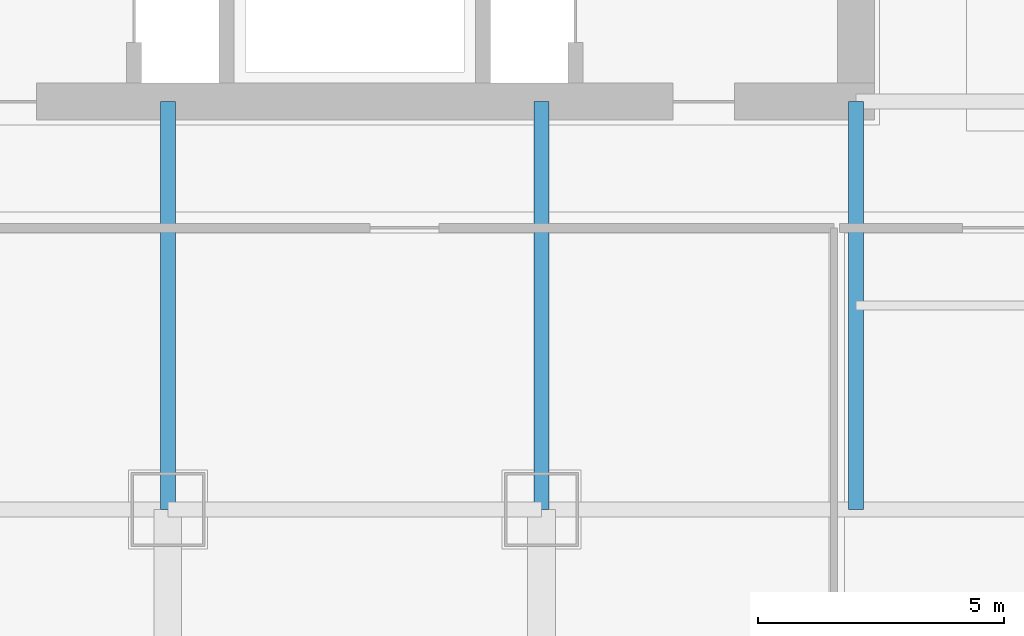
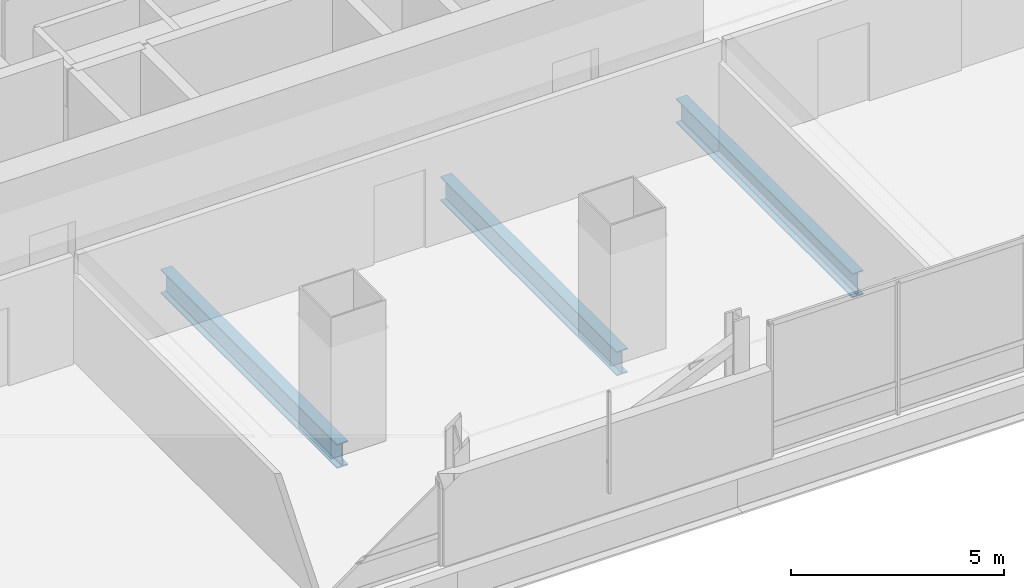
# One storey, part 6 of 40: 3 beams.
"""IFC4 building model written with IfcOpenShell, lengths in metres."""

import ifcopenshell
import ifcopenshell.guid

model = None  # the IFC model being written
_history = None  # IfcOwnerHistory: only IFC2X3 demands one
_inside = {}  # id of a spatial element -> (the spatial element, [elements in it])
_under = {}  # id of a project, library or spatial element -> (it, [spatial elements below it])
_declared = {}  # id of a project -> (the project, [libraries it declares])
_typed = {}  # id of a type object -> (the type object, [elements of that type])
_made_of = {}  # id of a material, layer set ... -> (it, [elements and type objects made of it])


def new_model(schema):
    """Start an empty IFC model of exactly this schema.

    Asked for "IFC4X3", IfcOpenShell would pick the latest addendum, in which some entities
    have other attributes; the version numbers below select the first issue.
    IFC2X3 requires an IfcOwnerHistory on every rooted entity: one is made here for all.
    """
    global model, _history
    if schema == "IFC4X3":
        model = ifcopenshell.file(schema_version=(4, 3, 0, 0))
    else:
        model = ifcopenshell.file(schema=schema)
    _inside.clear()
    _under.clear()
    _declared.clear()
    _typed.clear()
    _made_of.clear()
    _history = None
    if model.schema == "IFC2X3":
        org = make("IfcOrganization", Name="unknown")
        user = make(
            "IfcPersonAndOrganization",
            ThePerson=make("IfcPerson", FamilyName="unknown"),
            TheOrganization=org,
        )
        app = make(
            "IfcApplication",
            ApplicationDeveloper=org,
            Version="unknown",
            ApplicationFullName="unknown",
            ApplicationIdentifier="unknown",
        )
        _history = make(
            "IfcOwnerHistory",
            OwningUser=user,
            OwningApplication=app,
            ChangeAction="ADDED",
            CreationDate=0,
        )
    return model


def make(cls, **values):
    """One entity of the class cls with the attributes given. An attribute that is None is left unset."""
    return model.create_entity(
        cls, **{name: value for name, value in values.items() if value is not None}
    )


def rooted(cls, **values):
    """An entity with a GlobalId (a new one), such as an element, a storey or a relation."""
    return make(cls, GlobalId=ifcopenshell.guid.new(), OwnerHistory=_history, **values)


def si_unit(unit_type, name, prefix=None):
    """IfcSIUnit, for example si_unit("LENGTHUNIT", "METRE", prefix="MILLI")."""
    return make("IfcSIUnit", UnitType=unit_type, Prefix=prefix, Name=name)


def assignment(units):
    """IfcUnitAssignment: the units of a project."""
    return None if units is None else make("IfcUnitAssignment", Units=units)


def point(xyz):
    """IfcCartesianPoint."""
    return None if xyz is None else make("IfcCartesianPoint", Coordinates=xyz)


def direction(xyz):
    """IfcDirection."""
    return None if xyz is None else make("IfcDirection", DirectionRatios=xyz)


def frame(location, z_axis=None, x_axis=None):
    """IfcAxis2Placement3D, a coordinate frame: its origin and axes. An axis left out is left unset."""
    return make(
        "IfcAxis2Placement3D",
        Location=point(location),
        Axis=direction(z_axis),
        RefDirection=direction(x_axis),
    )


def frame_2d(location, x_axis=None):
    """IfcAxis2Placement2D, a coordinate frame in the plane: its origin and x axis."""
    return make(
        "IfcAxis2Placement2D", Location=point(location), RefDirection=direction(x_axis)
    )


def origin():
    """The frame at (0, 0, 0) with its axes left unset."""
    return frame((0.0, 0.0, 0.0))


def origin_2d():
    """The frame at (0, 0) in the plane with its x axis left unset."""
    return frame_2d((0.0, 0.0))


def place(relative_to, where):
    """IfcLocalPlacement: puts the frame where relative to a parent placement (None: the world)."""
    return make(
        "IfcLocalPlacement", PlacementRelTo=relative_to, RelativePlacement=where
    )


def context(
    kind, dimensions, precision=None, world=None, true_north=None, identifier=None
):
    """IfcGeometricRepresentationContext, for example the 3D "Model" context."""
    return make(
        "IfcGeometricRepresentationContext",
        ContextIdentifier=identifier,
        ContextType=kind,
        CoordinateSpaceDimension=dimensions,
        Precision=precision,
        WorldCoordinateSystem=world,
        TrueNorth=true_north,
    )


def subcontext(parent, identifier, kind, view, scale=None):
    """IfcGeometricRepresentationSubContext, for example "Body" below "Model"."""
    return make(
        "IfcGeometricRepresentationSubContext",
        ContextIdentifier=identifier,
        ContextType=kind,
        ParentContext=parent,
        TargetScale=scale,
        TargetView=view,
    )


def project(units=None, contexts=None):
    """IfcProject with its units and contexts."""
    return rooted(
        "IfcProject",
        Name="project",
        RepresentationContexts=contexts,
        UnitsInContext=assignment(units),
    )


def spatial(cls, under=None, at=None, **own):
    """A site, building, storey or space (cls), placed at a placement, below another one or the project."""
    s = rooted(cls, ObjectPlacement=at, **own)
    if under is not None:
        _under.setdefault(under.id(), (under, []))[1].append(s)
    return s


def profile(cls, at=None, kind="AREA", **sizes):
    """A parametric profile (cls). Its sizes go by their IFC names, for example OverallWidth=200.0."""
    return make(cls, ProfileType=kind, Position=at, **sizes)


def i_section(**sizes):
    """IfcIShapeProfileDef."""
    return profile("IfcIShapeProfileDef", **sizes)


def extrude(swept, where, along, depth):
    """IfcExtrudedAreaSolid: the profile swept, set in the frame where, extruded along a direction by depth."""
    return make(
        "IfcExtrudedAreaSolid",
        SweptArea=swept,
        Position=where,
        ExtrudedDirection=direction(along),
        Depth=depth,
    )


def shape(context_of_items, identifier, shape_type, items):
    """IfcShapeRepresentation: the items that make up one representation, for example the "Body"."""
    return make(
        "IfcShapeRepresentation",
        ContextOfItems=context_of_items,
        RepresentationIdentifier=identifier,
        RepresentationType=shape_type,
        Items=items,
    )


def material(Name=None, Category=None):
    """IfcMaterial."""
    return make("IfcMaterial", Name=Name, Category=Category)


def material_profile(
    of_material, cross_section, Name=None, Category=None, Priority=None
):
    """IfcMaterialProfile: a cross section and its material."""
    return make(
        "IfcMaterialProfile",
        Name=Name,
        Material=of_material,
        Profile=cross_section,
        Priority=Priority,
        Category=Category,
    )


def profile_set(profiles, Name=None, composite=None):
    """IfcMaterialProfileSet."""
    return make(
        "IfcMaterialProfileSet",
        Name=Name,
        MaterialProfiles=profiles,
        CompositeProfile=composite,
    )


def made_of(thing, what):
    """Note that an element or type object is made of a material, layer set ...; save() writes the relation."""
    if what is not None:
        _made_of.setdefault(what.id(), (what, []))[1].append(thing)
    return thing


def type_object(cls, material=None, **own):
    """A type object (cls), such as IfcWallType, which elements share."""
    return made_of(rooted(cls, **own), material)


def element(
    cls,
    number,
    at=None,
    inside=None,
    cuts=None,
    type_object=None,
    material=None,
    context=None,
    identifier="Body",
    shape_type=None,
    held_by="IfcProductDefinitionShape",
    body=None,
    shapes=None,
    **own,
):
    """One element of the class cls, such as IfcWall. Its Tag is "e" and its number.

    at: its placement. inside: the storey or other place that contains it. cuts: it is an
    opening in that element (IfcRelVoidsElement). A single representation is given by context,
    identifier, shape_type and body (its items); several are given by shapes. held_by: the class
    of the entity that holds the representations. save() writes the other relations.
    """
    e = rooted(cls, Tag="e%d" % number, ObjectPlacement=at, **own)
    if body is not None:
        shapes = [shape(context, identifier, shape_type, body)]
    if shapes is not None:
        e.Representation = make(held_by, Representations=shapes)
    if inside is not None:
        _inside.setdefault(inside.id(), (inside, []))[1].append(e)
    if cuts is not None:
        rooted(
            "IfcRelVoidsElement", RelatingBuildingElement=cuts, RelatedOpeningElement=e
        )
    if type_object is not None:
        _typed.setdefault(type_object.id(), (type_object, []))[1].append(e)
    return made_of(e, material)


def aggregate(whole, parts):
    """IfcRelAggregates: a whole, such as a stair, and the parts it consists of."""
    return rooted("IfcRelAggregates", RelatingObject=whole, RelatedObjects=parts)


def save(model, path):
    """Write the relations noted so far, then the file.

    IfcRelAggregates (storeys below a building ...), IfcRelContainedInSpatialStructure (elements
    in a storey), IfcRelDefinesByType, IfcRelAssociatesMaterial and IfcRelDeclares: one each for
    every whole, place, type object, material and project.
    """
    for whole, parts in _under.values():
        aggregate(whole, parts)
    for where, things in _inside.values():
        rooted(
            "IfcRelContainedInSpatialStructure",
            RelatedElements=things,
            RelatingStructure=where,
        )
    for kind, things in _typed.values():
        rooted("IfcRelDefinesByType", RelatedObjects=things, RelatingType=kind)
    for what, things in _made_of.values():
        rooted("IfcRelAssociatesMaterial", RelatedObjects=things, RelatingMaterial=what)
    for by, libraries in _declared.values():
        rooted("IfcRelDeclares", RelatingContext=by, RelatedDefinitions=libraries)
    model.write(path)


model = new_model("IFC4")

# Units and contexts
model_context = context("Model", 3, precision=1e-05, world=origin(), true_north=direction((0.0, 1.0)))
body_context = subcontext(model_context, "Body", "Model", "MODEL_VIEW")
ifc_project = project(units=[si_unit("LENGTHUNIT", "METRE"), si_unit("AREAUNIT", "SQUARE_METRE"), si_unit("VOLUMEUNIT", "CUBIC_METRE"), si_unit("PLANEANGLEUNIT", "RADIAN"), si_unit("MASSUNIT", "GRAM", prefix="KILO")], contexts=[model_context])

# Site, building, storey
site_placement = place(None, origin())
site = spatial("IfcSite", under=ifc_project, at=site_placement, CompositionType="ELEMENT")
building_placement = place(site_placement, origin())
building = spatial("IfcBuilding", under=site, at=building_placement, Name="Punatoya Terracotta Tower", CompositionType="ELEMENT")
storey_placement = place(building_placement, frame((0.0, 0.0, 76.800048828125)))
storey = spatial("IfcBuildingStorey", under=building, at=storey_placement, Name="L17", CompositionType="ELEMENT", Elevation=76.800048828125)

# Beams
ifc_material = material(Name="Steel S355", Category="steel")
ifc_material_profile = material_profile(ifc_material, i_section(OverallWidth=0.300048828125, OverallDepth=0.699951171875, WebThickness=0.01708984375, FlangeThickness=0.031982421875, FilletRadius=0.01806640625, at=origin_2d()))
ifc_profile_set = profile_set([ifc_material_profile], Name="Steel S355")
beam_type = type_object("IfcBeamType", Name="BM-PRI-700", PredefinedType="BEAM", material=ifc_profile_set)
for number, where, z_axis, x_axis, name in (
    (1, (-3.800048828125, -17.5, -0.590087890625), (0.0, 1.0, 0.0), (-1.0, 0.0, 0.0), "BM-L17-PR-S2"),
    (2, (3.800048828125, -17.5, -0.590087890625), (0.0, 1.0, 0.0), (-1.0, 0.0, 0.0), "BM-L17-PR-S3"),
    (3, (10.199951171875, -17.5, -0.590087890625), (0.0, 1.0, 0.0), (-1.0, 0.0, 0.0), "BM-L17-PR-S4"),
):
    element("IfcBeam", number, at=place(storey_placement, frame(where, z_axis=z_axis, x_axis=x_axis)), inside=storey, type_object=beam_type, Name=name, PredefinedType="BEAM", context=body_context, shape_type="SweptSolid", body=[
        extrude(i_section(OverallWidth=0.300048828125, OverallDepth=0.699951171875, WebThickness=0.01708984375, FlangeThickness=0.031982421875, FilletRadius=0.01806640625, at=origin_2d()), origin(), (0.0, 0.0, 1.0), 8.300048828125),
    ])

save(model, "model.ifc")
